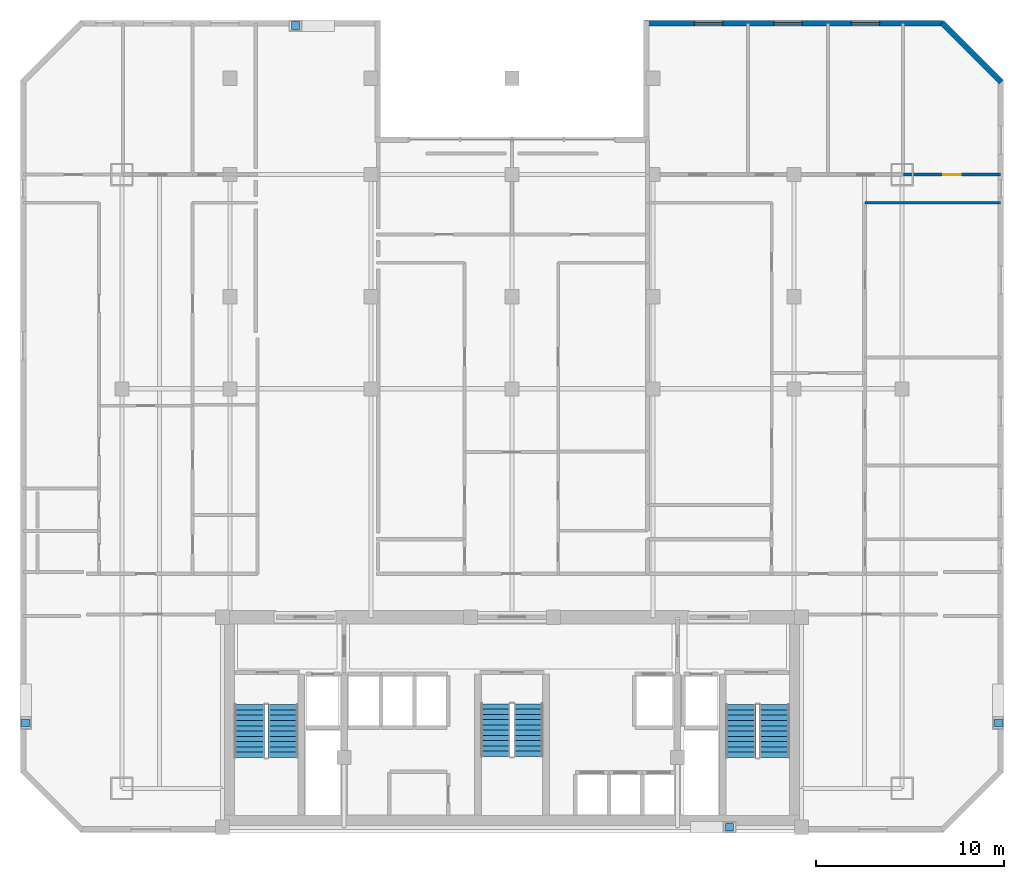
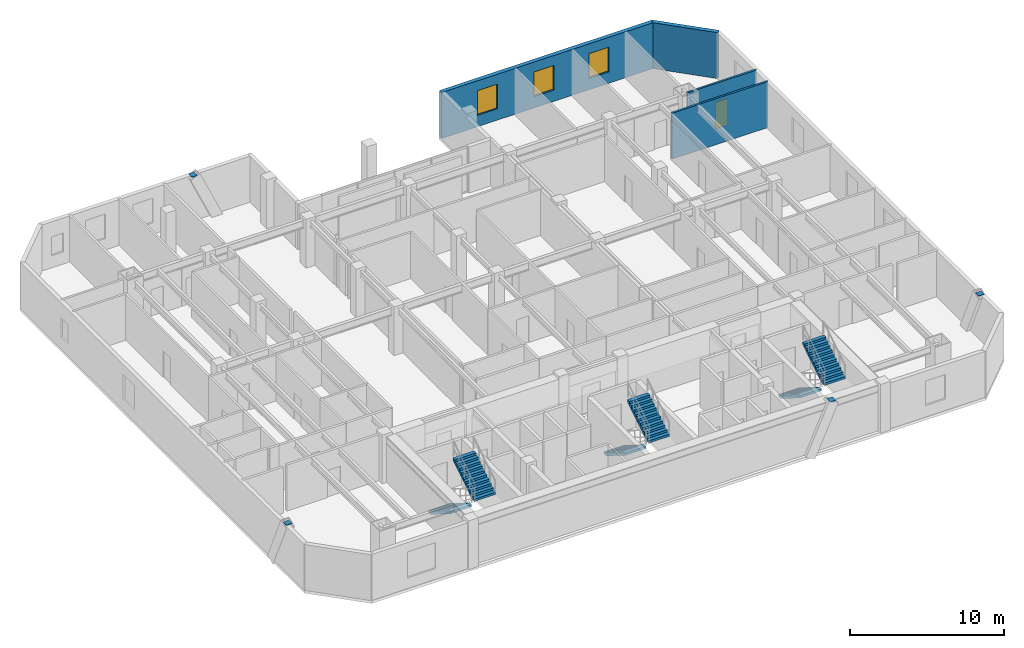
# One storey, part 8 of 9: 6 stair flights, 4 discrete accessories, 4 walls, 3 windows, 1 door, 4 openings, 3 elements without a shape of their own.
"""IFC4 building model written with IfcOpenShell, lengths in metres."""

import ifcopenshell
import ifcopenshell.guid

model = None  # the IFC model being written
_history = None  # IfcOwnerHistory: only IFC2X3 demands one
_inside = {}  # id of a spatial element -> (the spatial element, [elements in it])
_under = {}  # id of a project, library or spatial element -> (it, [spatial elements below it])
_declared = {}  # id of a project -> (the project, [libraries it declares])
_typed = {}  # id of a type object -> (the type object, [elements of that type])
_made_of = {}  # id of a material, layer set ... -> (it, [elements and type objects made of it])


def new_model(schema):
    """Start an empty IFC model of exactly this schema.

    Asked for "IFC4X3", IfcOpenShell would pick the latest addendum, in which some entities
    have other attributes; the version numbers below select the first issue.
    IFC2X3 requires an IfcOwnerHistory on every rooted entity: one is made here for all.
    """
    global model, _history
    if schema == "IFC4X3":
        model = ifcopenshell.file(schema_version=(4, 3, 0, 0))
    else:
        model = ifcopenshell.file(schema=schema)
    _inside.clear()
    _under.clear()
    _declared.clear()
    _typed.clear()
    _made_of.clear()
    _history = None
    if model.schema == "IFC2X3":
        org = make("IfcOrganization", Name="unknown")
        user = make(
            "IfcPersonAndOrganization",
            ThePerson=make("IfcPerson", FamilyName="unknown"),
            TheOrganization=org,
        )
        app = make(
            "IfcApplication",
            ApplicationDeveloper=org,
            Version="unknown",
            ApplicationFullName="unknown",
            ApplicationIdentifier="unknown",
        )
        _history = make(
            "IfcOwnerHistory",
            OwningUser=user,
            OwningApplication=app,
            ChangeAction="ADDED",
            CreationDate=0,
        )
    return model


def make(cls, **values):
    """One entity of the class cls with the attributes given. An attribute that is None is left unset."""
    return model.create_entity(
        cls, **{name: value for name, value in values.items() if value is not None}
    )


def rooted(cls, **values):
    """An entity with a GlobalId (a new one), such as an element, a storey or a relation."""
    return make(cls, GlobalId=ifcopenshell.guid.new(), OwnerHistory=_history, **values)


def si_unit(unit_type, name, prefix=None):
    """IfcSIUnit, for example si_unit("LENGTHUNIT", "METRE", prefix="MILLI")."""
    return make("IfcSIUnit", UnitType=unit_type, Prefix=prefix, Name=name)


def assignment(units):
    """IfcUnitAssignment: the units of a project."""
    return None if units is None else make("IfcUnitAssignment", Units=units)


def point(xyz):
    """IfcCartesianPoint."""
    return None if xyz is None else make("IfcCartesianPoint", Coordinates=xyz)


def direction(xyz):
    """IfcDirection."""
    return None if xyz is None else make("IfcDirection", DirectionRatios=xyz)


def frame(location, z_axis=None, x_axis=None):
    """IfcAxis2Placement3D, a coordinate frame: its origin and axes. An axis left out is left unset."""
    return make(
        "IfcAxis2Placement3D",
        Location=point(location),
        Axis=direction(z_axis),
        RefDirection=direction(x_axis),
    )


def frame_2d(location, x_axis=None):
    """IfcAxis2Placement2D, a coordinate frame in the plane: its origin and x axis."""
    return make(
        "IfcAxis2Placement2D", Location=point(location), RefDirection=direction(x_axis)
    )


def origin():
    """The frame at (0, 0, 0) with its axes left unset."""
    return frame((0.0, 0.0, 0.0))


def origin_2d():
    """The frame at (0, 0) in the plane with its x axis left unset."""
    return frame_2d((0.0, 0.0))


def place(relative_to, where):
    """IfcLocalPlacement: puts the frame where relative to a parent placement (None: the world)."""
    return make(
        "IfcLocalPlacement", PlacementRelTo=relative_to, RelativePlacement=where
    )


def context(
    kind, dimensions, precision=None, world=None, true_north=None, identifier=None
):
    """IfcGeometricRepresentationContext, for example the 3D "Model" context."""
    return make(
        "IfcGeometricRepresentationContext",
        ContextIdentifier=identifier,
        ContextType=kind,
        CoordinateSpaceDimension=dimensions,
        Precision=precision,
        WorldCoordinateSystem=world,
        TrueNorth=true_north,
    )


def subcontext(parent, identifier, kind, view, scale=None):
    """IfcGeometricRepresentationSubContext, for example "Body" below "Model"."""
    return make(
        "IfcGeometricRepresentationSubContext",
        ContextIdentifier=identifier,
        ContextType=kind,
        ParentContext=parent,
        TargetScale=scale,
        TargetView=view,
    )


def project(units=None, contexts=None):
    """IfcProject with its units and contexts."""
    return rooted(
        "IfcProject",
        Name="project",
        RepresentationContexts=contexts,
        UnitsInContext=assignment(units),
    )


def spatial(cls, under=None, at=None, **own):
    """A site, building, storey or space (cls), placed at a placement, below another one or the project."""
    s = rooted(cls, ObjectPlacement=at, **own)
    if under is not None:
        _under.setdefault(under.id(), (under, []))[1].append(s)
    return s


def polyline(points):
    """IfcPolyline through the points."""
    return make("IfcPolyline", Points=[point(p) for p in points])


def profile(cls, at=None, kind="AREA", **sizes):
    """A parametric profile (cls). Its sizes go by their IFC names, for example OverallWidth=200.0."""
    return make(cls, ProfileType=kind, Position=at, **sizes)


def rectangle(**sizes):
    """IfcRectangleProfileDef."""
    return profile("IfcRectangleProfileDef", **sizes)


def outline(outer, holes=None, kind="AREA"):
    """IfcArbitraryClosedProfileDef: a profile drawn as a closed curve; with holes, ...WithVoids."""
    if holes is None:
        return make("IfcArbitraryClosedProfileDef", ProfileType=kind, OuterCurve=outer)
    return make(
        "IfcArbitraryProfileDefWithVoids",
        ProfileType=kind,
        OuterCurve=outer,
        InnerCurves=holes,
    )


def extrude(swept, where, along, depth):
    """IfcExtrudedAreaSolid: the profile swept, set in the frame where, extruded along a direction by depth."""
    return make(
        "IfcExtrudedAreaSolid",
        SweptArea=swept,
        Position=where,
        ExtrudedDirection=direction(along),
        Depth=depth,
    )


def shape(context_of_items, identifier, shape_type, items):
    """IfcShapeRepresentation: the items that make up one representation, for example the "Body"."""
    return make(
        "IfcShapeRepresentation",
        ContextOfItems=context_of_items,
        RepresentationIdentifier=identifier,
        RepresentationType=shape_type,
        Items=items,
    )


def material(Name=None, Category=None):
    """IfcMaterial."""
    return make("IfcMaterial", Name=Name, Category=Category)


def layer(
    of_material, thickness, ventilated=None, Name=None, Category=None, Priority=None
):
    """IfcMaterialLayer: one layer of a wall or slab, of a material (None: an air gap)."""
    return make(
        "IfcMaterialLayer",
        Material=of_material,
        LayerThickness=thickness,
        IsVentilated=ventilated,
        Name=Name,
        Category=Category,
        Priority=Priority,
    )


def layer_set(layers, Name=None):
    """IfcMaterialLayerSet."""
    return make("IfcMaterialLayerSet", MaterialLayers=layers, LayerSetName=Name)


def made_of(thing, what):
    """Note that an element or type object is made of a material, layer set ...; save() writes the relation."""
    if what is not None:
        _made_of.setdefault(what.id(), (what, []))[1].append(thing)
    return thing


def type_object(cls, material=None, **own):
    """A type object (cls), such as IfcWallType, which elements share."""
    return made_of(rooted(cls, **own), material)


def element(
    cls,
    number,
    at=None,
    inside=None,
    cuts=None,
    type_object=None,
    material=None,
    context=None,
    identifier="Body",
    shape_type=None,
    held_by="IfcProductDefinitionShape",
    body=None,
    shapes=None,
    **own,
):
    """One element of the class cls, such as IfcWall. Its Tag is "e" and its number.

    at: its placement. inside: the storey or other place that contains it. cuts: it is an
    opening in that element (IfcRelVoidsElement). A single representation is given by context,
    identifier, shape_type and body (its items); several are given by shapes. held_by: the class
    of the entity that holds the representations. save() writes the other relations.
    """
    e = rooted(cls, Tag="e%d" % number, ObjectPlacement=at, **own)
    if body is not None:
        shapes = [shape(context, identifier, shape_type, body)]
    if shapes is not None:
        e.Representation = make(held_by, Representations=shapes)
    if inside is not None:
        _inside.setdefault(inside.id(), (inside, []))[1].append(e)
    if cuts is not None:
        rooted(
            "IfcRelVoidsElement", RelatingBuildingElement=cuts, RelatedOpeningElement=e
        )
    if type_object is not None:
        _typed.setdefault(type_object.id(), (type_object, []))[1].append(e)
    return made_of(e, material)


def fill(opening, filler):
    """IfcRelFillsElement: the door or window that sits in an opening."""
    return rooted(
        "IfcRelFillsElement",
        RelatingOpeningElement=opening,
        RelatedBuildingElement=filler,
    )


def aggregate(whole, parts):
    """IfcRelAggregates: a whole, such as a stair, and the parts it consists of."""
    return rooted("IfcRelAggregates", RelatingObject=whole, RelatedObjects=parts)


def save(model, path):
    """Write the relations noted so far, then the file.

    IfcRelAggregates (storeys below a building ...), IfcRelContainedInSpatialStructure (elements
    in a storey), IfcRelDefinesByType, IfcRelAssociatesMaterial and IfcRelDeclares: one each for
    every whole, place, type object, material and project.
    """
    for whole, parts in _under.values():
        aggregate(whole, parts)
    for where, things in _inside.values():
        rooted(
            "IfcRelContainedInSpatialStructure",
            RelatedElements=things,
            RelatingStructure=where,
        )
    for kind, things in _typed.values():
        rooted("IfcRelDefinesByType", RelatedObjects=things, RelatingType=kind)
    for what, things in _made_of.values():
        rooted("IfcRelAssociatesMaterial", RelatedObjects=things, RelatingMaterial=what)
    for by, libraries in _declared.values():
        rooted("IfcRelDeclares", RelatingContext=by, RelatedDefinitions=libraries)
    model.write(path)


model = new_model("IFC4")

# Units and contexts
model_context = context("Model", 3, precision=1e-05, world=origin(), true_north=direction((0.0, 1.0)))
body_context = subcontext(model_context, "Body", "Model", "MODEL_VIEW")
ifc_project = project(units=[si_unit("LENGTHUNIT", "METRE"), si_unit("AREAUNIT", "SQUARE_METRE"), si_unit("VOLUMEUNIT", "CUBIC_METRE"), si_unit("PLANEANGLEUNIT", "RADIAN"), si_unit("MASSUNIT", "GRAM", prefix="KILO")], contexts=[model_context])

# Site, building, storey
site_placement = place(None, origin())
site = spatial("IfcSite", under=ifc_project, at=site_placement, CompositionType="ELEMENT")
building_placement = place(site_placement, origin())
building = spatial("IfcBuilding", under=site, at=building_placement, Name="Ventersveld Concourse Tower", CompositionType="ELEMENT")
storey_placement = place(building_placement, frame((0.0, 0.0, 145.199951171875)))
storey = spatial("IfcBuildingStorey", under=building, at=storey_placement, Name="L35", CompositionType="ELEMENT", Elevation=145.199951171875)

# Wall
ifc_material_1 = material(Name="Autoclaved aerated masonry blockwork", Category="masonry")
ifc_layer_1 = layer(ifc_material_1, 0.14990234375)
ifc_layer_set_1 = layer_set([ifc_layer_1], Name="Autoclaved aerated masonry blockwork")
wall_type_1 = type_object("IfcWallType", Name="WL-INT-150", PredefinedType="PARTITIONING", material=ifc_layer_set_1)
wall_1_placement = place(storey_placement, frame((47.537353515625, 33.5, 0.0), z_axis=(0.0, 0.0, 1.0), x_axis=(1.0, 0.0, 0.0)))
element("IfcWall", 1, at=wall_1_placement, inside=storey, type_object=wall_type_1, Name="L35 Interior Partition SP-L35-35CE-LIV-SP-L35-35CE-DENS2", PredefinedType="PARTITIONING", context=body_context, shape_type="SweptSolid", body=[
    extrude(rectangle(XDim=7.190185546875, YDim=0.14990234375, at=frame_2d((3.59521484375, 0.0))), origin(), (0.0, 0.0, 1.0), 3.630126953125),
])

# Wall, opening, door
wall_2_placement = place(storey_placement, frame((49.57763671875, 35.0, 0.0), z_axis=(0.0, 0.0, 1.0), x_axis=(1.0, 0.0, 0.0)))
wall_2 = element("IfcWall", 2, at=wall_2_placement, inside=storey, type_object=wall_type_1, Name="L35 Interior Partition SP-L35-35CE-LIV-SP-L35-35CE-BR4", PredefinedType="PARTITIONING", context=body_context, shape_type="SweptSolid", body=[
    extrude(rectangle(XDim=5.14990234375, YDim=0.14990234375, at=frame_2d((2.574951171875, 0.0))), origin(), (0.0, 0.0, 1.0), 3.630126953125),
])
opening_1_placement = place(wall_2_placement, frame((2.114990234375, 0.0, 0.0)))
opening_1 = element("IfcOpeningElement", 3, at=opening_1_placement, cuts=wall_2, Name="Opening ID1", PredefinedType="OPENING", context=body_context, shape_type="SweptSolid", body=[
    extrude(rectangle(XDim=0.919921875, YDim=2.10009765625, at=frame_2d((0.4599609375, 1.050048828125))), frame((0.0, 0.0849609375, 0.0), z_axis=(0.0, -1.0, 0.0), x_axis=(1.0, 0.0, 0.0)), (0.0, 0.0, 1.0), 0.169921875),
])
ifc_material_2 = material(Name="Solid-core hardwood veneer timber", Category="wood")
door_type = type_object("IfcDoorType", Name="DR-ROOM-092", OperationType="NOTDEFINED", PredefinedType="DOOR", material=ifc_material_2)
door_placement = place(opening_1_placement, origin())
door = element("IfcDoor", 4, at=door_placement, inside=storey, type_object=door_type, Name="L35 Interior Door SP-L35-35CE-LIV to SP-L35-35CE-BR4 (D-L35-1736)", OperationType="SINGLE_SWING_RIGHT", OverallHeight=2.10009765625, OverallWidth=0.919921875, PredefinedType="DOOR", context=body_context, shape_type="SweptSolid", body=[
    extrude(rectangle(XDim=0.919921875, YDim=2.10009765625, at=frame_2d((0.4599609375, 1.050048828125))), frame((0.0, 0.02490234375, 0.0), z_axis=(0.0, -1.0, 0.0), x_axis=(1.0, 0.0, 0.0)), (0.0, 0.0, 1.0), 0.050048828125),
])
fill(opening_1, door)

# Wall
ifc_material_3 = material(Name="Precast concrete C45/55", Category="concrete")
ifc_layer_2 = layer(ifc_material_3, 0.300048828125)
ifc_layer_set_2 = layer_set([ifc_layer_2], Name="Precast concrete C45/55")
wall_type_2 = type_object("IfcWallType", Name="WL-PREC-300", PredefinedType="SOLIDWALL", material=ifc_layer_set_2)
wall_3_placement = place(storey_placement, frame((54.765625, 39.922119140625, 0.0), z_axis=(0.0, 0.0, 1.0), x_axis=(-0.707079321262, 0.707134240044, 0.0)))
element("IfcWall", 5, at=wall_3_placement, inside=storey, type_object=wall_type_2, Name="L35 Highveld Precast Facade Wall E04", PredefinedType="SOLIDWALL", context=body_context, shape_type="SweptSolid", body=[
    extrude(rectangle(XDim=4.445556640625, YDim=0.300048828125, at=frame_2d((2.22265625, 0.0))), origin(), (0.0, 0.0, 1.0), 3.630126953125),
])

# Wall, openings, windows
wall_4_placement = place(storey_placement, frame((51.659912109375, 43.050048828125, 0.0), z_axis=(0.0, 0.0, 1.0), x_axis=(-1.0, 0.0, 0.0)))
wall_4 = element("IfcWall", 6, at=wall_4_placement, inside=storey, type_object=wall_type_2, Name="L35 Highveld Precast Facade Wall E05", PredefinedType="SOLIDWALL", context=body_context, shape_type="SweptSolid", body=[
    extrude(rectangle(XDim=15.869873046875, YDim=0.300048828125, at=frame_2d((7.93505859375, 0.0))), origin(), (0.0, 0.0, 1.0), 3.630126953125),
])
opening_2_placement = place(wall_4_placement, frame((11.70751953125, 0.0, 0.89990234375)))
opening_2 = element("IfcOpeningElement", 7, at=opening_2_placement, cuts=wall_4, Name="Opening W1", PredefinedType="OPENING", context=body_context, shape_type="SweptSolid", body=[
    extrude(rectangle(XDim=1.5, YDim=1.949951171875, at=frame_2d((0.75, 0.97509765625))), frame((0.0, 0.16015625, 0.0), z_axis=(0.0, -1.0, 0.0), x_axis=(1.0, 0.0, 0.0)), (0.0, 0.0, 1.0), 0.320068359375),
])
opening_3_placement = place(wall_4_placement, frame((7.4794921875, 0.0, 0.89990234375)))
opening_3 = element("IfcOpeningElement", 8, at=opening_3_placement, cuts=wall_4, Name="Opening W1", PredefinedType="OPENING", context=body_context, shape_type="SweptSolid", body=[
    extrude(rectangle(XDim=1.5, YDim=1.949951171875, at=frame_2d((0.75, 0.97509765625))), frame((0.0, 0.16015625, 0.0), z_axis=(0.0, -1.0, 0.0), x_axis=(1.0, 0.0, 0.0)), (0.0, 0.0, 1.0), 0.320068359375),
])
opening_4_placement = place(wall_4_placement, frame((3.359375, 0.0, 0.89990234375)))
opening_4 = element("IfcOpeningElement", 9, at=opening_4_placement, cuts=wall_4, Name="Opening W1", PredefinedType="OPENING", context=body_context, shape_type="SweptSolid", body=[
    extrude(rectangle(XDim=1.5, YDim=1.949951171875, at=frame_2d((0.75, 0.97509765625))), frame((0.0, 0.16015625, 0.0), z_axis=(0.0, -1.0, 0.0), x_axis=(1.0, 0.0, 0.0)), (0.0, 0.0, 1.0), 0.320068359375),
])
ifc_material_4 = material(Name="Tempered acoustic Low-E IGU", Category="glass")
window_type = type_object("IfcWindowType", Name="WIN-150x210", PartitioningType="SINGLE_PANEL", PredefinedType="WINDOW", material=ifc_material_4)
window_1_placement = place(opening_2_placement, origin())
window_1 = element("IfcWindow", 10, at=window_1_placement, inside=storey, type_object=window_type, Name="L35 Punched Low-E Window W-0457", OverallHeight=1.949951171875, OverallWidth=1.5, PartitioningType="SINGLE_PANEL", PredefinedType="WINDOW", context=body_context, shape_type="SweptSolid", body=[
    extrude(rectangle(XDim=1.5, YDim=1.949951171875, at=frame_2d((0.75, 0.97509765625))), frame((0.0, 0.030029296875, 0.0), z_axis=(0.0, -1.0, 0.0), x_axis=(1.0, 0.0, 0.0)), (0.0, 0.0, 1.0), 0.06005859375),
])
fill(opening_2, window_1)
window_2_placement = place(opening_3_placement, origin())
window_2 = element("IfcWindow", 11, at=window_2_placement, inside=storey, type_object=window_type, Name="L35 Punched Low-E Window W-0458", OverallHeight=1.949951171875, OverallWidth=1.5, PartitioningType="SINGLE_PANEL", PredefinedType="WINDOW", context=body_context, shape_type="SweptSolid", body=[
    extrude(rectangle(XDim=1.5, YDim=1.949951171875, at=frame_2d((0.75, 0.97509765625))), frame((0.0, 0.030029296875, 0.0), z_axis=(0.0, -1.0, 0.0), x_axis=(1.0, 0.0, 0.0)), (0.0, 0.0, 1.0), 0.06005859375),
])
fill(opening_3, window_2)
window_3_placement = place(opening_4_placement, origin())
window_3 = element("IfcWindow", 12, at=window_3_placement, inside=storey, type_object=window_type, Name="L35 Punched Low-E Window W-0459", OverallHeight=1.949951171875, OverallWidth=1.5, PartitioningType="SINGLE_PANEL", PredefinedType="WINDOW", context=body_context, shape_type="SweptSolid", body=[
    extrude(rectangle(XDim=1.5, YDim=1.949951171875, at=frame_2d((0.75, 0.97509765625))), frame((0.0, 0.030029296875, 0.0), z_axis=(0.0, -1.0, 0.0), x_axis=(1.0, 0.0, 0.0)), (0.0, 0.0, 1.0), 0.06005859375),
])
fill(opening_4, window_3)

# Stair, stair flights
ifc_material_5 = material(Name="Concrete C50/60", Category="concrete")
stair_type_1 = type_object("IfcStairType", Name="ST-DOG-155", PredefinedType="HALF_TURN_STAIR", material=ifc_material_5)
stair_1_placement = place(storey_placement, origin())
stair_1 = element("IfcStair", 13, at=stair_1_placement, inside=storey, type_object=stair_type_1, Name="L35 Protected Central Core Escape Stair ST-03", PredefinedType="HALF_TURN_STAIR")
stair_flight_type_1 = type_object("IfcStairFlightType", Name="STF-RC-155", PredefinedType="STRAIGHT", material=ifc_material_5)
stair_flight_1_placement = place(storey_placement, frame((27.875, 6.85009765625, 0.0), z_axis=(0.0, 0.0, 1.0), x_axis=(0.0, -1.0, 0.0)))
stair_flight_1 = element("IfcStairFlight", 14, at=stair_flight_1_placement, type_object=stair_flight_type_1, Name="ST-03 flight 1", NumberOfRisers=11, NumberOfTreads=10, PredefinedType="STRAIGHT", RiserHeight=0.175, TreadLength=0.28, context=body_context, shape_type="SweptSolid", body=[
    extrude(outline(polyline([(0.0, 0.0), (0.0, 0.175048828125), (0.280029296875, 0.175048828125), (0.280029296875, 0.35009765625), (0.56005859375, 0.35009765625), (0.56005859375, 0.52490234375), (0.840087890625, 0.52490234375), (0.840087890625, 0.699951171875), (1.1201171875, 0.699951171875), (1.1201171875, 0.875), (1.39990234375, 0.875), (1.39990234375, 1.050048828125), (1.679931640625, 1.050048828125), (1.679931640625, 1.22509765625), (1.9599609375, 1.22509765625), (1.9599609375, 1.39990234375), (2.239990234375, 1.39990234375), (2.239990234375, 1.574951171875), (2.52001953125, 1.574951171875), (2.52001953125, 1.75), (2.800048828125, 1.75), (2.800048828125, 1.925048828125), (2.800048828125, 1.5732421875), (0.28271484375, 0.0), (0.0, 0.0)])), frame((0.0, 0.77490234375, 0.0), z_axis=(0.0, -1.0, 0.0), x_axis=(1.0, 0.0, 0.0)), (0.0, 0.0, 1.0), 1.550048828125),
])
stair_flight_2_placement = place(storey_placement, frame((29.625, 4.050048828125, 1.925048828125), z_axis=(0.0, 0.0, 1.0), x_axis=(0.0, 1.0, 0.0)))
stair_flight_2 = element("IfcStairFlight", 15, at=stair_flight_2_placement, type_object=stair_flight_type_1, Name="ST-03 flight 2", NumberOfRisers=11, NumberOfTreads=10, PredefinedType="STRAIGHT", RiserHeight=0.175, TreadLength=0.28, context=body_context, shape_type="SweptSolid", body=[
    extrude(outline(polyline([(0.0, 0.0), (0.0, 0.175048828125), (0.280029296875, 0.175048828125), (0.280029296875, 0.35009765625), (0.56005859375, 0.35009765625), (0.56005859375, 0.52490234375), (0.840087890625, 0.52490234375), (0.840087890625, 0.699951171875), (1.1201171875, 0.699951171875), (1.1201171875, 0.875), (1.39990234375, 0.875), (1.39990234375, 1.050048828125), (1.679931640625, 1.050048828125), (1.679931640625, 1.22509765625), (1.9599609375, 1.22509765625), (1.9599609375, 1.39990234375), (2.239990234375, 1.39990234375), (2.239990234375, 1.574951171875), (2.52001953125, 1.574951171875), (2.52001953125, 1.75), (2.800048828125, 1.75), (2.800048828125, 1.925048828125), (2.800048828125, 1.5732421875), (0.28271484375, 0.0), (0.0, 0.0)])), frame((0.0, 0.77490234375, 0.0), z_axis=(0.0, -1.0, 0.0), x_axis=(1.0, 0.0, 0.0)), (0.0, 0.0, 1.0), 1.550048828125),
])
aggregate(stair_1, [stair_flight_1, stair_flight_2])

stair_type_2 = type_object("IfcStairType", Name="ST-DOG-160", PredefinedType="HALF_TURN_STAIR", material=ifc_material_5)
stair_2_placement = place(storey_placement, origin())
stair_2 = element("IfcStair", 16, at=stair_2_placement, inside=storey, type_object=stair_type_2, Name="L35 Protected Tower Escape Stair ST-01", PredefinedType="HALF_TURN_STAIR")
stair_flight_type_2 = type_object("IfcStairFlightType", Name="STF-RC-160", PredefinedType="STRAIGHT", material=ifc_material_5)
stair_flight_3_placement = place(storey_placement, frame((14.780029296875, 6.800048828125, 0.0), z_axis=(0.0, 0.0, 1.0), x_axis=(0.0, -1.0, 0.0)))
stair_flight_3 = element("IfcStairFlight", 17, at=stair_flight_3_placement, type_object=stair_flight_type_2, Name="ST-01 flight 1", NumberOfRisers=11, NumberOfTreads=10, PredefinedType="STRAIGHT", RiserHeight=0.175, TreadLength=0.28, context=body_context, shape_type="SweptSolid", body=[
    extrude(outline(polyline([(0.0, 0.0), (0.0, 0.175048828125), (0.280029296875, 0.175048828125), (0.280029296875, 0.35009765625), (0.56005859375, 0.35009765625), (0.56005859375, 0.52490234375), (0.840087890625, 0.52490234375), (0.840087890625, 0.699951171875), (1.1201171875, 0.699951171875), (1.1201171875, 0.875), (1.39990234375, 0.875), (1.39990234375, 1.050048828125), (1.679931640625, 1.050048828125), (1.679931640625, 1.22509765625), (1.9599609375, 1.22509765625), (1.9599609375, 1.39990234375), (2.239990234375, 1.39990234375), (2.239990234375, 1.574951171875), (2.52001953125, 1.574951171875), (2.52001953125, 1.75), (2.800048828125, 1.75), (2.800048828125, 1.925048828125), (2.800048828125, 1.5732421875), (0.28271484375, 0.0), (0.0, 0.0)])), frame((0.0, 0.800048828125, 0.0), z_axis=(0.0, -1.0, 0.0), x_axis=(1.0, 0.0, 0.0)), (0.0, 0.0, 1.0), 1.60009765625),
])
stair_flight_4_placement = place(storey_placement, frame((16.580078125, 4.0, 1.925048828125), z_axis=(0.0, 0.0, 1.0), x_axis=(0.0, 1.0, 0.0)))
stair_flight_4 = element("IfcStairFlight", 18, at=stair_flight_4_placement, type_object=stair_flight_type_2, Name="ST-01 flight 2", NumberOfRisers=11, NumberOfTreads=10, PredefinedType="STRAIGHT", RiserHeight=0.175, TreadLength=0.28, context=body_context, shape_type="SweptSolid", body=[
    extrude(outline(polyline([(0.0, 0.0), (0.0, 0.175048828125), (0.280029296875, 0.175048828125), (0.280029296875, 0.35009765625), (0.56005859375, 0.35009765625), (0.56005859375, 0.52490234375), (0.840087890625, 0.52490234375), (0.840087890625, 0.699951171875), (1.1201171875, 0.699951171875), (1.1201171875, 0.875), (1.39990234375, 0.875), (1.39990234375, 1.050048828125), (1.679931640625, 1.050048828125), (1.679931640625, 1.22509765625), (1.9599609375, 1.22509765625), (1.9599609375, 1.39990234375), (2.239990234375, 1.39990234375), (2.239990234375, 1.574951171875), (2.52001953125, 1.574951171875), (2.52001953125, 1.75), (2.800048828125, 1.75), (2.800048828125, 1.925048828125), (2.800048828125, 1.5732421875), (0.28271484375, 0.0), (0.0, 0.0)])), frame((0.0, 0.800048828125, 0.0), z_axis=(0.0, -1.0, 0.0), x_axis=(1.0, 0.0, 0.0)), (0.0, 0.0, 1.0), 1.60009765625),
])
aggregate(stair_2, [stair_flight_3, stair_flight_4])

stair_3_placement = place(storey_placement, origin())
stair_3 = element("IfcStair", 19, at=stair_3_placement, inside=storey, type_object=stair_type_2, Name="L35 Protected Tower Escape Stair ST-02", PredefinedType="HALF_TURN_STAIR")
stair_flight_5_placement = place(storey_placement, frame((40.919921875, 6.800048828125, 0.0), z_axis=(0.0, 0.0, 1.0), x_axis=(0.0, -1.0, 0.0)))
stair_flight_5 = element("IfcStairFlight", 20, at=stair_flight_5_placement, type_object=stair_flight_type_2, Name="ST-02 flight 1", NumberOfRisers=11, NumberOfTreads=10, PredefinedType="STRAIGHT", RiserHeight=0.175, TreadLength=0.28, context=body_context, shape_type="SweptSolid", body=[
    extrude(outline(polyline([(0.0, 0.0), (0.0, 0.175048828125), (0.280029296875, 0.175048828125), (0.280029296875, 0.35009765625), (0.56005859375, 0.35009765625), (0.56005859375, 0.52490234375), (0.840087890625, 0.52490234375), (0.840087890625, 0.699951171875), (1.1201171875, 0.699951171875), (1.1201171875, 0.875), (1.39990234375, 0.875), (1.39990234375, 1.050048828125), (1.679931640625, 1.050048828125), (1.679931640625, 1.22509765625), (1.9599609375, 1.22509765625), (1.9599609375, 1.39990234375), (2.239990234375, 1.39990234375), (2.239990234375, 1.574951171875), (2.52001953125, 1.574951171875), (2.52001953125, 1.75), (2.800048828125, 1.75), (2.800048828125, 1.925048828125), (2.800048828125, 1.5732421875), (0.28271484375, 0.0), (0.0, 0.0)])), frame((0.0, 0.800048828125, 0.0), z_axis=(0.0, -1.0, 0.0), x_axis=(1.0, 0.0, 0.0)), (0.0, 0.0, 1.0), 1.60009765625),
])
stair_flight_6_placement = place(storey_placement, frame((42.719970703125, 4.0, 1.925048828125), z_axis=(0.0, 0.0, 1.0), x_axis=(0.0, 1.0, 0.0)))
stair_flight_6 = element("IfcStairFlight", 21, at=stair_flight_6_placement, type_object=stair_flight_type_2, Name="ST-02 flight 2", NumberOfRisers=11, NumberOfTreads=10, PredefinedType="STRAIGHT", RiserHeight=0.175, TreadLength=0.28, context=body_context, shape_type="SweptSolid", body=[
    extrude(outline(polyline([(0.0, 0.0), (0.0, 0.175048828125), (0.280029296875, 0.175048828125), (0.280029296875, 0.35009765625), (0.56005859375, 0.35009765625), (0.56005859375, 0.52490234375), (0.840087890625, 0.52490234375), (0.840087890625, 0.699951171875), (1.1201171875, 0.699951171875), (1.1201171875, 0.875), (1.39990234375, 0.875), (1.39990234375, 1.050048828125), (1.679931640625, 1.050048828125), (1.679931640625, 1.22509765625), (1.9599609375, 1.22509765625), (1.9599609375, 1.39990234375), (2.239990234375, 1.39990234375), (2.239990234375, 1.574951171875), (2.52001953125, 1.574951171875), (2.52001953125, 1.75), (2.800048828125, 1.75), (2.800048828125, 1.925048828125), (2.800048828125, 1.5732421875), (0.28271484375, 0.0), (0.0, 0.0)])), frame((0.0, 0.800048828125, 0.0), z_axis=(0.0, -1.0, 0.0), x_axis=(1.0, 0.0, 0.0)), (0.0, 0.0, 1.0), 1.60009765625),
])
aggregate(stair_3, [stair_flight_5, stair_flight_6])

# Discrete accessories
ifc_material_6 = material(Name="Structural steel S355J2", Category="steel")
discrete_accessory_type = type_object("IfcDiscreteAccessoryType", Name="CONN-BRACE-ECP1", PredefinedType="BRACKET", material=ifc_material_6)
for number, where, z_axis, x_axis, name in (
    (22, (17.22900390625, 42.919921875, 3.610107421875), (0.0, 0.0, 1.0), (1.0, 0.0, 0.0), "L35 Steel Brace End Connection Plate ECP1-0317"),
    (23, (40.321044921875, 0.280029296875, 3.610107421875), (0.0, 0.0, 1.0), (1.0, 0.0, 0.0), "L35 Steel Brace End Connection Plate ECP1-0321"),
    (24, (2.8798828125, 5.828857421875, 3.610107421875), (0.0, 0.0, 1.0), (1.0, 0.0, 0.0), "L35 Steel Brace End Connection Plate ECP1-0325"),
    (25, (54.6201171875, 5.828857421875, 3.610107421875), (0.0, 0.0, 1.0), (1.0, 0.0, 0.0), "L35 Steel Brace End Connection Plate ECP1-0329"),
):
    element("IfcDiscreteAccessory", number, at=place(storey_placement, frame(where, z_axis=z_axis, x_axis=x_axis)), inside=storey, type_object=discrete_accessory_type, Name=name, PredefinedType="BRACKET", context=body_context, shape_type="SweptSolid", body=[
        extrude(rectangle(XDim=0.419921875, YDim=0.419921875, at=origin_2d()), origin(), (0.0, 0.0, 1.0), 0.0400390625),
    ])

save(model, "model.ifc")
